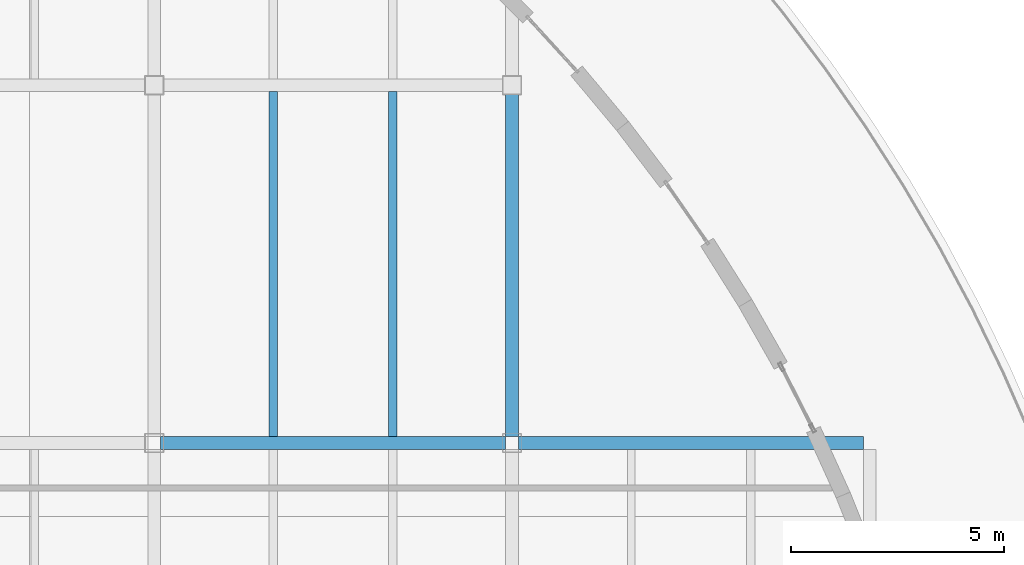
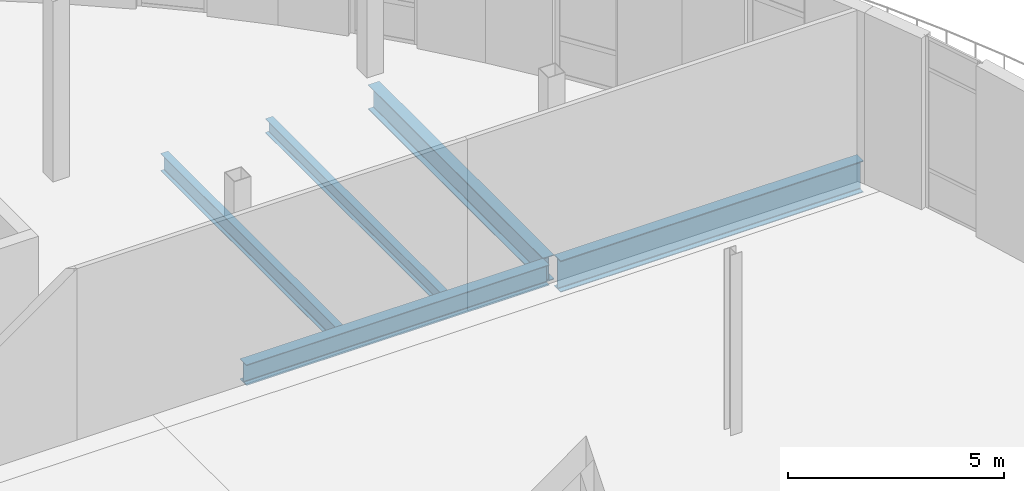
# One storey, part 26 of 57: 5 beams.
"""IFC4 building model written with IfcOpenShell, lengths in metres."""

import ifcopenshell
import ifcopenshell.guid

model = None  # the IFC model being written
_history = None  # IfcOwnerHistory: only IFC2X3 demands one
_inside = {}  # id of a spatial element -> (the spatial element, [elements in it])
_under = {}  # id of a project, library or spatial element -> (it, [spatial elements below it])
_declared = {}  # id of a project -> (the project, [libraries it declares])
_typed = {}  # id of a type object -> (the type object, [elements of that type])
_made_of = {}  # id of a material, layer set ... -> (it, [elements and type objects made of it])


def new_model(schema):
    """Start an empty IFC model of exactly this schema.

    Asked for "IFC4X3", IfcOpenShell would pick the latest addendum, in which some entities
    have other attributes; the version numbers below select the first issue.
    IFC2X3 requires an IfcOwnerHistory on every rooted entity: one is made here for all.
    """
    global model, _history
    if schema == "IFC4X3":
        model = ifcopenshell.file(schema_version=(4, 3, 0, 0))
    else:
        model = ifcopenshell.file(schema=schema)
    _inside.clear()
    _under.clear()
    _declared.clear()
    _typed.clear()
    _made_of.clear()
    _history = None
    if model.schema == "IFC2X3":
        org = make("IfcOrganization", Name="unknown")
        user = make(
            "IfcPersonAndOrganization",
            ThePerson=make("IfcPerson", FamilyName="unknown"),
            TheOrganization=org,
        )
        app = make(
            "IfcApplication",
            ApplicationDeveloper=org,
            Version="unknown",
            ApplicationFullName="unknown",
            ApplicationIdentifier="unknown",
        )
        _history = make(
            "IfcOwnerHistory",
            OwningUser=user,
            OwningApplication=app,
            ChangeAction="ADDED",
            CreationDate=0,
        )
    return model


def make(cls, **values):
    """One entity of the class cls with the attributes given. An attribute that is None is left unset."""
    return model.create_entity(
        cls, **{name: value for name, value in values.items() if value is not None}
    )


def rooted(cls, **values):
    """An entity with a GlobalId (a new one), such as an element, a storey or a relation."""
    return make(cls, GlobalId=ifcopenshell.guid.new(), OwnerHistory=_history, **values)


def si_unit(unit_type, name, prefix=None):
    """IfcSIUnit, for example si_unit("LENGTHUNIT", "METRE", prefix="MILLI")."""
    return make("IfcSIUnit", UnitType=unit_type, Prefix=prefix, Name=name)


def assignment(units):
    """IfcUnitAssignment: the units of a project."""
    return None if units is None else make("IfcUnitAssignment", Units=units)


def point(xyz):
    """IfcCartesianPoint."""
    return None if xyz is None else make("IfcCartesianPoint", Coordinates=xyz)


def direction(xyz):
    """IfcDirection."""
    return None if xyz is None else make("IfcDirection", DirectionRatios=xyz)


def frame(location, z_axis=None, x_axis=None):
    """IfcAxis2Placement3D, a coordinate frame: its origin and axes. An axis left out is left unset."""
    return make(
        "IfcAxis2Placement3D",
        Location=point(location),
        Axis=direction(z_axis),
        RefDirection=direction(x_axis),
    )


def frame_2d(location, x_axis=None):
    """IfcAxis2Placement2D, a coordinate frame in the plane: its origin and x axis."""
    return make(
        "IfcAxis2Placement2D", Location=point(location), RefDirection=direction(x_axis)
    )


def origin():
    """The frame at (0, 0, 0) with its axes left unset."""
    return frame((0.0, 0.0, 0.0))


def origin_2d():
    """The frame at (0, 0) in the plane with its x axis left unset."""
    return frame_2d((0.0, 0.0))


def place(relative_to, where):
    """IfcLocalPlacement: puts the frame where relative to a parent placement (None: the world)."""
    return make(
        "IfcLocalPlacement", PlacementRelTo=relative_to, RelativePlacement=where
    )


def context(
    kind, dimensions, precision=None, world=None, true_north=None, identifier=None
):
    """IfcGeometricRepresentationContext, for example the 3D "Model" context."""
    return make(
        "IfcGeometricRepresentationContext",
        ContextIdentifier=identifier,
        ContextType=kind,
        CoordinateSpaceDimension=dimensions,
        Precision=precision,
        WorldCoordinateSystem=world,
        TrueNorth=true_north,
    )


def subcontext(parent, identifier, kind, view, scale=None):
    """IfcGeometricRepresentationSubContext, for example "Body" below "Model"."""
    return make(
        "IfcGeometricRepresentationSubContext",
        ContextIdentifier=identifier,
        ContextType=kind,
        ParentContext=parent,
        TargetScale=scale,
        TargetView=view,
    )


def project(units=None, contexts=None):
    """IfcProject with its units and contexts."""
    return rooted(
        "IfcProject",
        Name="project",
        RepresentationContexts=contexts,
        UnitsInContext=assignment(units),
    )


def spatial(cls, under=None, at=None, **own):
    """A site, building, storey or space (cls), placed at a placement, below another one or the project."""
    s = rooted(cls, ObjectPlacement=at, **own)
    if under is not None:
        _under.setdefault(under.id(), (under, []))[1].append(s)
    return s


def profile(cls, at=None, kind="AREA", **sizes):
    """A parametric profile (cls). Its sizes go by their IFC names, for example OverallWidth=200.0."""
    return make(cls, ProfileType=kind, Position=at, **sizes)


def i_section(**sizes):
    """IfcIShapeProfileDef."""
    return profile("IfcIShapeProfileDef", **sizes)


def extrude(swept, where, along, depth):
    """IfcExtrudedAreaSolid: the profile swept, set in the frame where, extruded along a direction by depth."""
    return make(
        "IfcExtrudedAreaSolid",
        SweptArea=swept,
        Position=where,
        ExtrudedDirection=direction(along),
        Depth=depth,
    )


def shape(context_of_items, identifier, shape_type, items):
    """IfcShapeRepresentation: the items that make up one representation, for example the "Body"."""
    return make(
        "IfcShapeRepresentation",
        ContextOfItems=context_of_items,
        RepresentationIdentifier=identifier,
        RepresentationType=shape_type,
        Items=items,
    )


def material(Name=None, Category=None):
    """IfcMaterial."""
    return make("IfcMaterial", Name=Name, Category=Category)


def material_profile(
    of_material, cross_section, Name=None, Category=None, Priority=None
):
    """IfcMaterialProfile: a cross section and its material."""
    return make(
        "IfcMaterialProfile",
        Name=Name,
        Material=of_material,
        Profile=cross_section,
        Priority=Priority,
        Category=Category,
    )


def profile_set(profiles, Name=None, composite=None):
    """IfcMaterialProfileSet."""
    return make(
        "IfcMaterialProfileSet",
        Name=Name,
        MaterialProfiles=profiles,
        CompositeProfile=composite,
    )


def made_of(thing, what):
    """Note that an element or type object is made of a material, layer set ...; save() writes the relation."""
    if what is not None:
        _made_of.setdefault(what.id(), (what, []))[1].append(thing)
    return thing


def type_object(cls, material=None, **own):
    """A type object (cls), such as IfcWallType, which elements share."""
    return made_of(rooted(cls, **own), material)


def element(
    cls,
    number,
    at=None,
    inside=None,
    cuts=None,
    type_object=None,
    material=None,
    context=None,
    identifier="Body",
    shape_type=None,
    held_by="IfcProductDefinitionShape",
    body=None,
    shapes=None,
    **own,
):
    """One element of the class cls, such as IfcWall. Its Tag is "e" and its number.

    at: its placement. inside: the storey or other place that contains it. cuts: it is an
    opening in that element (IfcRelVoidsElement). A single representation is given by context,
    identifier, shape_type and body (its items); several are given by shapes. held_by: the class
    of the entity that holds the representations. save() writes the other relations.
    """
    e = rooted(cls, Tag="e%d" % number, ObjectPlacement=at, **own)
    if body is not None:
        shapes = [shape(context, identifier, shape_type, body)]
    if shapes is not None:
        e.Representation = make(held_by, Representations=shapes)
    if inside is not None:
        _inside.setdefault(inside.id(), (inside, []))[1].append(e)
    if cuts is not None:
        rooted(
            "IfcRelVoidsElement", RelatingBuildingElement=cuts, RelatedOpeningElement=e
        )
    if type_object is not None:
        _typed.setdefault(type_object.id(), (type_object, []))[1].append(e)
    return made_of(e, material)


def aggregate(whole, parts):
    """IfcRelAggregates: a whole, such as a stair, and the parts it consists of."""
    return rooted("IfcRelAggregates", RelatingObject=whole, RelatedObjects=parts)


def save(model, path):
    """Write the relations noted so far, then the file.

    IfcRelAggregates (storeys below a building ...), IfcRelContainedInSpatialStructure (elements
    in a storey), IfcRelDefinesByType, IfcRelAssociatesMaterial and IfcRelDeclares: one each for
    every whole, place, type object, material and project.
    """
    for whole, parts in _under.values():
        aggregate(whole, parts)
    for where, things in _inside.values():
        rooted(
            "IfcRelContainedInSpatialStructure",
            RelatedElements=things,
            RelatingStructure=where,
        )
    for kind, things in _typed.values():
        rooted("IfcRelDefinesByType", RelatedObjects=things, RelatingType=kind)
    for what, things in _made_of.values():
        rooted("IfcRelAssociatesMaterial", RelatedObjects=things, RelatingMaterial=what)
    for by, libraries in _declared.values():
        rooted("IfcRelDeclares", RelatingContext=by, RelatedDefinitions=libraries)
    model.write(path)


model = new_model("IFC4")

# Units and contexts
model_context = context("Model", 3, precision=1e-05, world=origin(), true_north=direction((0.0, 1.0)))
body_context = subcontext(model_context, "Body", "Model", "MODEL_VIEW")
ifc_project = project(units=[si_unit("LENGTHUNIT", "METRE"), si_unit("AREAUNIT", "SQUARE_METRE"), si_unit("VOLUMEUNIT", "CUBIC_METRE"), si_unit("PLANEANGLEUNIT", "RADIAN"), si_unit("MASSUNIT", "GRAM", prefix="KILO"), si_unit("THERMODYNAMICTEMPERATUREUNIT", "KELVIN")], contexts=[model_context])

# Site, building, storey
site_placement = place(None, origin())
site = spatial("IfcSite", under=ifc_project, at=site_placement, CompositionType="ELEMENT")
building_placement = place(site_placement, origin())
building = spatial("IfcBuilding", under=site, at=building_placement, Name="Lustrewick Department Store", CompositionType="ELEMENT")
storey_placement = place(building_placement, frame((0.0, 0.0, 26.699951171875)))
storey = spatial("IfcBuildingStorey", under=building, at=storey_placement, Name="L06", CompositionType="ELEMENT", Elevation=26.699951171875)

# Beams
ifc_material_1 = material(Name="Structural steel Q355B", Category="steel")
ifc_material_profile_1 = material_profile(ifc_material_1, i_section(OverallWidth=0.199951171875, OverallDepth=0.5, WebThickness=0.010009765625, FlangeThickness=0.01611328125, FilletRadius=0.01611328125, at=origin_2d()), Name="HN 500x200x10x16")
ifc_profile_set_1 = profile_set([ifc_material_profile_1], Name="Structural steel Q355B")
beam_type_1 = type_object("IfcBeamType", Name="B01", PredefinedType="JOIST", material=ifc_profile_set_1)
beam_1_placement = place(storey_placement, frame((137.199951171875, 75.75, -0.5048828125), z_axis=(0.0, 1.0, 0.0), x_axis=(-1.0, 0.0, 0.0)))
element("IfcBeam", 1, at=beam_1_placement, inside=storey, type_object=beam_type_1, Name="L06 V4 Secondary Joist B01", PredefinedType="JOIST", context=body_context, shape_type="SweptSolid", body=[
    extrude(i_section(OverallWidth=0.199951171875, OverallDepth=0.5, WebThickness=0.010009765625, FlangeThickness=0.01611328125, FilletRadius=0.01611328125, at=origin_2d()), origin(), (0.0, 0.0, 1.0), 8.1005859375),
])
ifc_material_profile_2 = material_profile(ifc_material_1, i_section(OverallWidth=0.199951171875, OverallDepth=0.39990234375, WebThickness=0.008056640625, FlangeThickness=0.012939453125, FilletRadius=0.013916015625, at=origin_2d()), Name="HN 400x200x8x13")
ifc_profile_set_2 = profile_set([ifc_material_profile_2], Name="Structural steel Q355B")
beam_type_2 = type_object("IfcBeamType", Name="B05", PredefinedType="JOIST", material=ifc_profile_set_2)
beam_2_placement = place(storey_placement, frame((140.0, 75.75, -0.454833984375), z_axis=(0.0, 1.0, 0.0), x_axis=(-1.0, 0.0, 0.0)))
element("IfcBeam", 2, at=beam_2_placement, inside=storey, type_object=beam_type_2, Name="L06 V4 Secondary Joist B05", PredefinedType="JOIST", context=body_context, shape_type="SweptSolid", body=[
    extrude(i_section(OverallWidth=0.199951171875, OverallDepth=0.39990234375, WebThickness=0.008056640625, FlangeThickness=0.012939453125, FilletRadius=0.013916015625, at=origin_2d()), origin(), (0.0, 0.0, 1.0), 8.1005859375),
])
ifc_material_2 = material(Name="Structural steel Q355C", Category="steel")
ifc_material_profile_3 = material_profile(ifc_material_2, i_section(OverallWidth=0.299072265625, OverallDepth=0.889892578125, WebThickness=0.014892578125, FlangeThickness=0.02294921875, FilletRadius=0.02392578125, at=origin_2d()), Name="HN 890x299x15x23")
ifc_profile_set_3 = profile_set([ifc_material_profile_3], Name="Structural steel Q355C")
beam_type_3 = type_object("IfcBeamType", Name="G03", PredefinedType="BEAM", material=ifc_profile_set_3)
beam_3_placement = place(storey_placement, frame((142.949951171875, 75.60009765625, -0.699951171875), z_axis=(1.0, 0.0, 0.0), x_axis=(0.0, 1.0, 0.0)))
element("IfcBeam", 3, at=beam_3_placement, inside=storey, type_object=beam_type_3, Name="L06 V4 Girder G03", PredefinedType="BEAM", context=body_context, shape_type="SweptSolid", body=[
    extrude(i_section(OverallWidth=0.299072265625, OverallDepth=0.889892578125, WebThickness=0.014892578125, FlangeThickness=0.02294921875, FilletRadius=0.02392578125, at=origin_2d()), origin(), (0.0, 0.0, 1.0), 8.10009765625),
])
ifc_material_profile_4 = material_profile(ifc_material_1, i_section(OverallWidth=0.300048828125, OverallDepth=0.699951171875, WebThickness=0.012939453125, FlangeThickness=0.02392578125, FilletRadius=0.02001953125, at=origin_2d()), Name="HN 700x300x13x24")
ifc_profile_set_4 = profile_set([ifc_material_profile_4], Name="Structural steel Q355B")
beam_type_4 = type_object("IfcBeamType", Name="G08", PredefinedType="BEAM", material=ifc_profile_set_4)
beam_4_placement = place(storey_placement, frame((142.800048828125, 75.75, -0.60498046875), z_axis=(0.0, 1.0, 0.0), x_axis=(-1.0, 0.0, 0.0)))
element("IfcBeam", 4, at=beam_4_placement, inside=storey, type_object=beam_type_4, Name="L06 V4 Girder G08", PredefinedType="BEAM", context=body_context, shape_type="SweptSolid", body=[
    extrude(i_section(OverallWidth=0.300048828125, OverallDepth=0.699951171875, WebThickness=0.012939453125, FlangeThickness=0.02392578125, FilletRadius=0.02001953125, at=origin_2d()), origin(), (0.0, 0.0, 1.0), 8.10009765625),
])
ifc_material_profile_5 = material_profile(ifc_material_1, i_section(OverallWidth=0.300048828125, OverallDepth=0.58203125, WebThickness=0.011962890625, FlangeThickness=0.01708984375, FilletRadius=0.02392578125, at=origin_2d()), Name="HM 582x300x12x17")
ifc_profile_set_5 = profile_set([ifc_material_profile_5], Name="Structural steel Q355B")
beam_type_5 = type_object("IfcBeamType", Name="G12", PredefinedType="BEAM", material=ifc_profile_set_5)
beam_5_placement = place(storey_placement, frame((134.550048828125, 75.60009765625, -0.5458984375), z_axis=(1.0, 0.0, 0.0), x_axis=(0.0, 1.0, 0.0)))
element("IfcBeam", 5, at=beam_5_placement, inside=storey, type_object=beam_type_5, Name="L06 V4 Girder G12", PredefinedType="BEAM", context=body_context, shape_type="SweptSolid", body=[
    extrude(i_section(OverallWidth=0.300048828125, OverallDepth=0.58203125, WebThickness=0.011962890625, FlangeThickness=0.01708984375, FilletRadius=0.02392578125, at=origin_2d()), origin(), (0.0, 0.0, 1.0), 8.099853515625),
])

save(model, "model.ifc")
